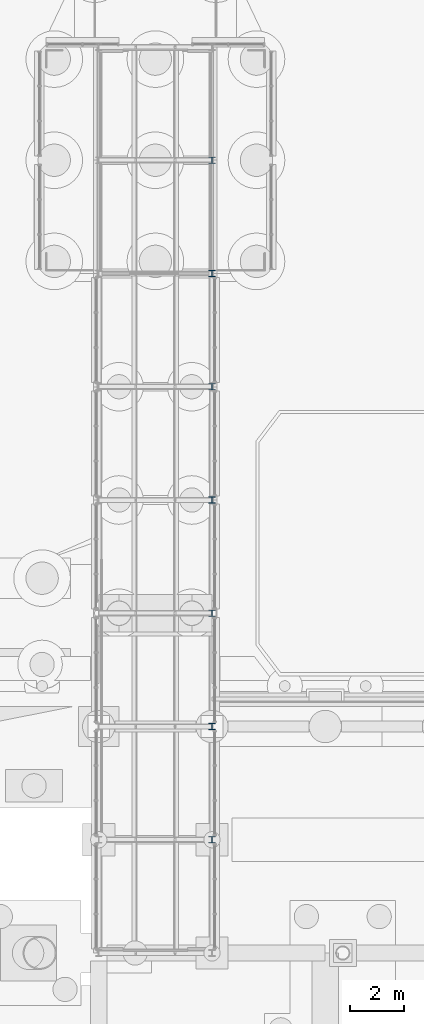
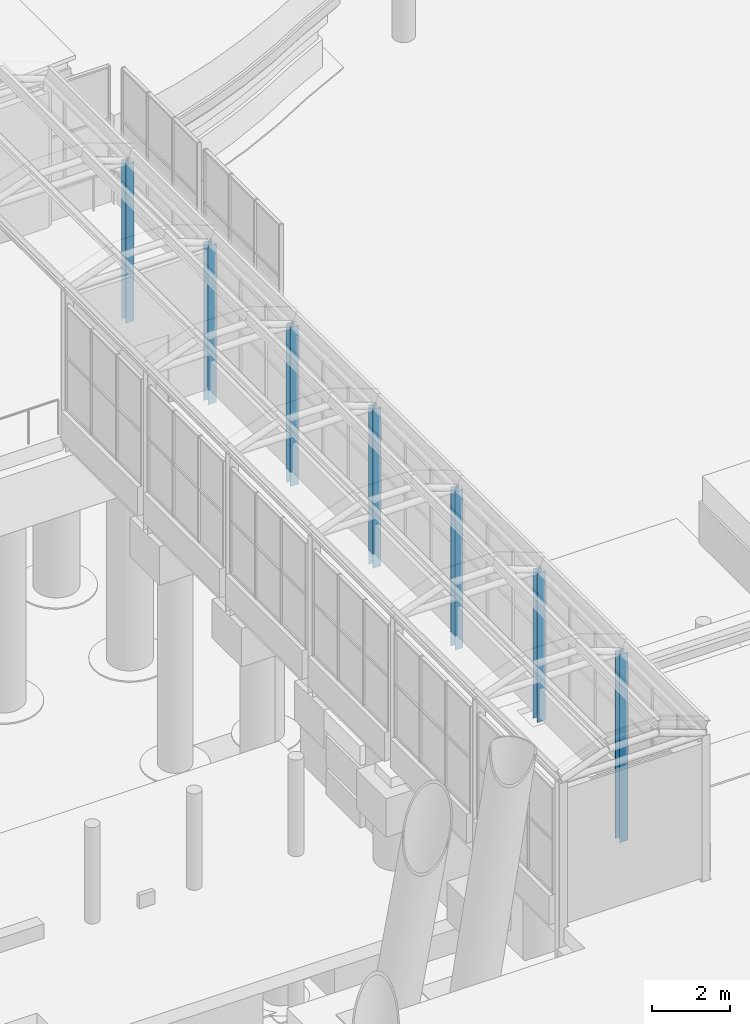
# One storey, part 36 of 222: 7 columns.
"""IFC4 building model written with IfcOpenShell, lengths in metres."""

from ifc_helpers import new_model, si_unit, direction, frame, origin, origin_2d, place, context, subcontext, project, spatial, i_section, extrude, material, material_profile, profile_set, type_object, element, save


model = new_model("IFC4")

# Units and contexts
model_context = context("Model", 3, precision=1e-05, world=origin(), true_north=direction((0.0, 1.0)))
body_context = subcontext(model_context, "Body", "Model", "MODEL_VIEW")
ifc_project = project(units=[si_unit("LENGTHUNIT", "METRE"), si_unit("AREAUNIT", "SQUARE_METRE"), si_unit("VOLUMEUNIT", "CUBIC_METRE"), si_unit("PLANEANGLEUNIT", "RADIAN"), si_unit("MASSUNIT", "GRAM", prefix="KILO")], contexts=[model_context])

# Site, building, storey
site_placement = place(None, origin())
site = spatial("IfcSite", under=ifc_project, at=site_placement, CompositionType="ELEMENT")
building_placement = place(site_placement, origin())
building = spatial("IfcBuilding", under=site, at=building_placement, Name="Sava Quay Ferry Terminal", CompositionType="ELEMENT")
storey_placement = place(building_placement, origin())
storey = spatial("IfcBuildingStorey", under=building, at=storey_placement, Name="L00", CompositionType="ELEMENT", Elevation=0.0)

# Columns
ifc_material = material(Name="Steel S355", Category="steel")
ifc_material_profile = material_profile(ifc_material, i_section(OverallWidth=0.239990234375, OverallDepth=0.22998046875, WebThickness=0.007568359375, FlangeThickness=0.011962890625, at=origin_2d()), Name="HE 240 A")
ifc_profile_set = profile_set([ifc_material_profile], Name="Steel S355")
column_type = type_object("IfcColumnType", Name="Column HE 240 A", PredefinedType="COLUMN", material=ifc_profile_set)
column_1_placement = place(storey_placement, frame((79.800048828125, 113.39990234375, -1.35009765625), z_axis=(0.0, 0.0, 1.0), x_axis=(1.0, 0.0, 0.0)))
element("IfcColumn", 1, at=column_1_placement, inside=storey, type_object=column_type, Name="Gallery post B2 113.4", PredefinedType="COLUMN", context=body_context, shape_type="SweptSolid", body=[
    extrude(i_section(OverallWidth=0.239990234375, OverallDepth=0.22998046875, WebThickness=0.007568359375, FlangeThickness=0.011962890625, at=origin_2d()), origin(), (0.0, 0.0, 1.0), 5.85009765625),
])
column_2_placement = place(storey_placement, frame((79.800048828125, 117.60009765625, -0.14990234375), z_axis=(0.0, 0.0, 1.0), x_axis=(1.0, 0.0, 0.0)))
element("IfcColumn", 2, at=column_2_placement, inside=storey, type_object=column_type, Name="Gallery post B2 117.6", PredefinedType="COLUMN", context=body_context, shape_type="SweptSolid", body=[
    extrude(i_section(OverallWidth=0.239990234375, OverallDepth=0.22998046875, WebThickness=0.007568359375, FlangeThickness=0.011962890625, at=origin_2d()), origin(), (0.0, 0.0, 1.0), 4.64990234375),
])
for number, where, z_axis, x_axis, name in (
    (3, (79.800048828125, 121.800048828125, -0.449951171875), (0.0, 0.0, 1.0), (1.0, 0.0, 0.0), "Gallery post B2 121.8"),
    (4, (79.800048828125, 126.0, -0.449951171875), (0.0, 0.0, 1.0), (1.0, 0.0, 0.0), "Gallery post B2 126"),
    (5, (79.800048828125, 130.199951171875, -0.449951171875), (0.0, 0.0, 1.0), (1.0, 0.0, 0.0), "Gallery post B2 130.2"),
    (6, (79.800048828125, 134.39990234375, -0.449951171875), (0.0, 0.0, 1.0), (1.0, 0.0, 0.0), "Gallery post B2 134.4"),
    (7, (79.800048828125, 138.60009765625, -0.449951171875), (0.0, 0.0, 1.0), (1.0, 0.0, 0.0), "Gallery post B2 138.6"),
):
    element("IfcColumn", number, at=place(storey_placement, frame(where, z_axis=z_axis, x_axis=x_axis)), inside=storey, type_object=column_type, Name=name, PredefinedType="COLUMN", context=body_context, shape_type="SweptSolid", body=[
        extrude(i_section(OverallWidth=0.239990234375, OverallDepth=0.22998046875, WebThickness=0.007568359375, FlangeThickness=0.011962890625, at=origin_2d()), origin(), (0.0, 0.0, 1.0), 4.949951171875),
    ])

save(model, "model.ifc")
